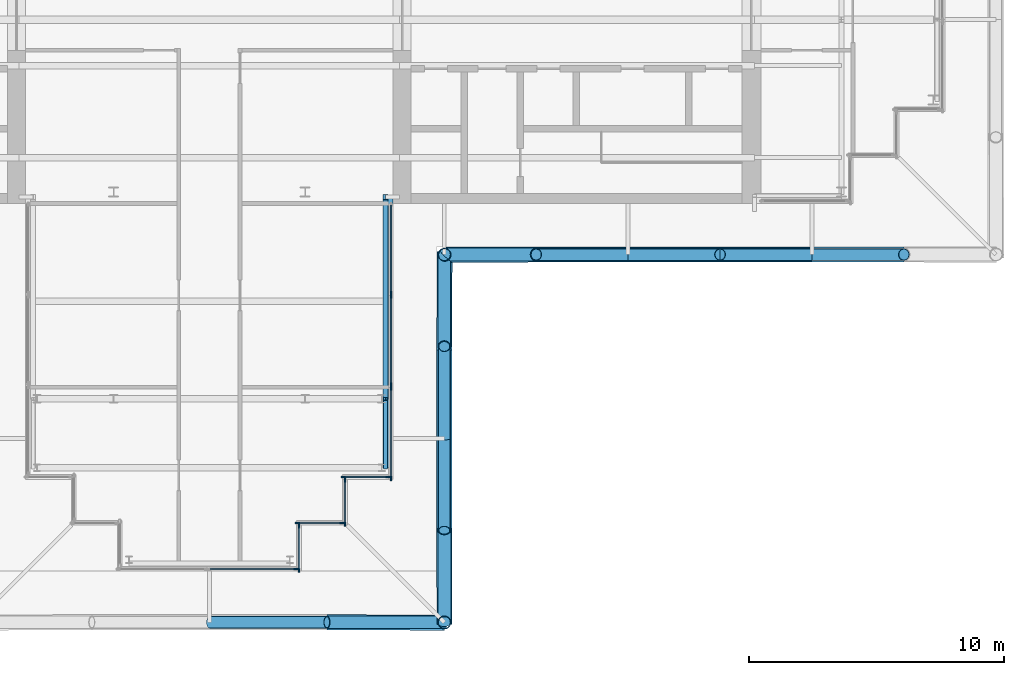
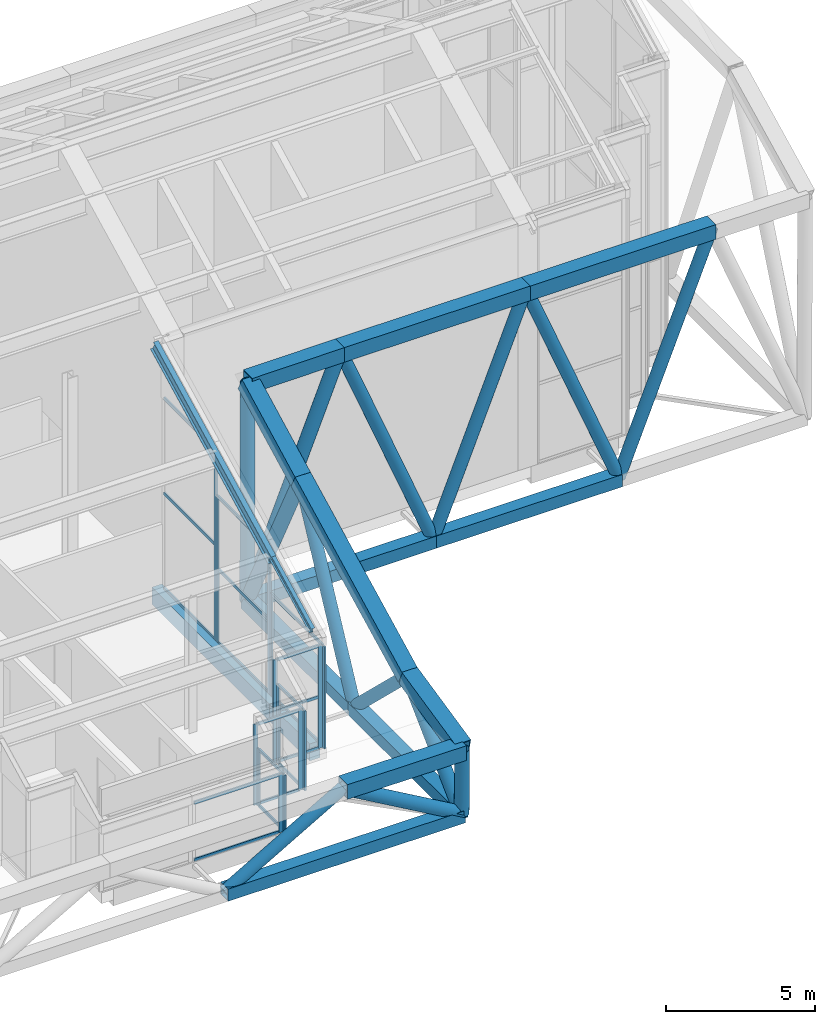
# One storey, part 9 of 25: 58 members, 4 beams, 8 elements without a shape of their own.
"""IFC4 building model written with IfcOpenShell, lengths in metres."""

from ifc_helpers import new_model, si_unit, direction, frame, origin, origin_2d, place, context, subcontext, project, spatial, rectangle, hollow_rectangle, hollow_circle, i_section, extrude, material, material_profile, profile_set, type_object, element, aggregate, save


model = new_model("IFC4")

# Units and contexts
model_context = context("Model", 3, precision=1e-05, world=origin(), true_north=direction((0.0, 1.0)))
body_context = subcontext(model_context, "Body", "Model", "MODEL_VIEW")
ifc_project = project(units=[si_unit("LENGTHUNIT", "METRE"), si_unit("AREAUNIT", "SQUARE_METRE"), si_unit("VOLUMEUNIT", "CUBIC_METRE"), si_unit("PLANEANGLEUNIT", "RADIAN"), si_unit("MASSUNIT", "GRAM", prefix="KILO")], contexts=[model_context])

# Site, building, storey
site_placement = place(None, origin())
site = spatial("IfcSite", under=ifc_project, at=site_placement, CompositionType="ELEMENT")
building_placement = place(site_placement, origin())
building = spatial("IfcBuilding", under=site, at=building_placement, Name="Fustian Cross Tower", CompositionType="ELEMENT")
storey_placement = place(building_placement, frame((0.0, 0.0, 247.5)))
storey = spatial("IfcBuildingStorey", under=building, at=storey_placement, Name="L77", CompositionType="ELEMENT", Elevation=247.5)

# Curtain wall, member
ifc_material_1 = material(Name="Glass", Category="glass")
curtain_wall_type = type_object("IfcCurtainWallType", Name="CW6 CURTAIN WALL", PredefinedType="NOTDEFINED", material=ifc_material_1)
curtain_wall_1_placement = place(storey_placement, origin())
curtain_wall_1 = element("IfcCurtainWall", 1, at=curtain_wall_1_placement, inside=storey, type_object=curtain_wall_type, Name="Curtain wall CW6", PredefinedType="NOTDEFINED")
ifc_material_2 = material(Name="Aluminium alloy 6063", Category="aluminium")
ifc_material_profile_1 = material_profile(ifc_material_2, rectangle(XDim=0.06005859375, YDim=0.159912109375, at=origin_2d()), Name="CW6 MULLION 60x160")
ifc_profile_set_1 = profile_set([ifc_material_profile_1], Name="Aluminium alloy 6063")
member_type_1 = type_object("IfcMemberType", Name="CW6 MULLION 60x160", PredefinedType="MULLION", material=ifc_profile_set_1)
member_1_placement = place(storey_placement, frame((3.389892578125, -21.510009765625, 0.0), z_axis=(0.0, 0.0, 1.0), x_axis=(0.0, 1.0, 0.0)))
member_1 = element("IfcMember", 2, at=member_1_placement, type_object=member_type_1, Name="CW6 mullion 2", PredefinedType="MULLION", context=body_context, shape_type="SweptSolid", body=[
    extrude(rectangle(XDim=0.06005859375, YDim=0.159912109375, at=origin_2d()), origin(), (0.0, 0.0, 1.0), 2.395751953125),
])

# Curtain wall, members
curtain_wall_2_placement = place(storey_placement, origin())
curtain_wall_2 = element("IfcCurtainWall", 3, at=curtain_wall_2_placement, inside=storey, type_object=curtain_wall_type, Name="Curtain wall CW6", PredefinedType="NOTDEFINED")
member_2_placement = place(storey_placement, frame((3.510009765625, -21.570068359375, 0.0), z_axis=(0.0, 0.0, 1.0), x_axis=(-1.0, 0.0, 0.0)))
member_2 = element("IfcMember", 4, at=member_2_placement, type_object=member_type_1, Name="CW6 mullion 1", PredefinedType="MULLION", context=body_context, shape_type="SweptSolid", body=[
    extrude(rectangle(XDim=0.06005859375, YDim=0.159912109375, at=origin_2d()), origin(), (0.0, 0.0, 1.0), 2.35009765625),
])
member_3_placement = place(storey_placement, frame((3.510009765625, -19.830078125, 0.0), z_axis=(0.0, 0.0, 1.0), x_axis=(-1.0, 0.0, 0.0)))
member_3 = element("IfcMember", 5, at=member_3_placement, type_object=member_type_1, Name="CW6 mullion 2", PredefinedType="MULLION", context=body_context, shape_type="SweptSolid", body=[
    extrude(rectangle(XDim=0.06005859375, YDim=0.159912109375, at=origin_2d()), origin(), (0.0, 0.0, 1.0), 2.35009765625),
])

curtain_wall_3_placement = place(storey_placement, origin())
curtain_wall_3 = element("IfcCurtainWall", 6, at=curtain_wall_3_placement, inside=storey, type_object=curtain_wall_type, Name="Curtain wall CW6", PredefinedType="NOTDEFINED")
member_4_placement = place(storey_placement, frame((3.449951171875, -19.7099609375, 0.0), z_axis=(0.0, 0.0, 1.0), x_axis=(0.0, 1.0, 0.0)))
member_4 = element("IfcMember", 7, at=member_4_placement, type_object=member_type_1, Name="CW6 mullion 1", PredefinedType="MULLION", context=body_context, shape_type="SweptSolid", body=[
    extrude(rectangle(XDim=0.06005859375, YDim=0.159912109375, at=origin_2d()), origin(), (0.0, 0.0, 1.0), 3.3125),
])
member_5_placement = place(storey_placement, frame((5.18994140625, -19.7099609375, 0.0), z_axis=(0.0, 0.0, 1.0), x_axis=(0.0, 1.0, 0.0)))
member_5 = element("IfcMember", 8, at=member_5_placement, type_object=member_type_1, Name="CW6 mullion 2", PredefinedType="MULLION", context=body_context, shape_type="SweptSolid", body=[
    extrude(rectangle(XDim=0.06005859375, YDim=0.159912109375, at=origin_2d()), origin(), (0.0, 0.0, 1.0), 3.3125),
])

curtain_wall_4_placement = place(storey_placement, origin())
curtain_wall_4 = element("IfcCurtainWall", 9, at=curtain_wall_4_placement, inside=storey, type_object=curtain_wall_type, Name="Curtain wall CW6", PredefinedType="NOTDEFINED")
member_6_placement = place(storey_placement, frame((5.31005859375, -19.77001953125, 0.0), z_axis=(0.0, 0.0, 1.0), x_axis=(-1.0, 0.0, 0.0)))
member_6 = element("IfcMember", 10, at=member_6_placement, type_object=member_type_1, Name="CW6 mullion 1", PredefinedType="MULLION", context=body_context, shape_type="SweptSolid", body=[
    extrude(rectangle(XDim=0.06005859375, YDim=0.159912109375, at=origin_2d()), origin(), (0.0, 0.0, 1.0), 3.2666015625),
])
member_7_placement = place(storey_placement, frame((5.31005859375, -18.030029296875, 0.0), z_axis=(0.0, 0.0, 1.0), x_axis=(-1.0, 0.0, 0.0)))
member_7 = element("IfcMember", 11, at=member_7_placement, type_object=member_type_1, Name="CW6 mullion 2", PredefinedType="MULLION", context=body_context, shape_type="SweptSolid", body=[
    extrude(rectangle(XDim=0.06005859375, YDim=0.159912109375, at=origin_2d()), origin(), (0.0, 0.0, 1.0), 3.2666015625),
])

curtain_wall_5_placement = place(storey_placement, origin())
curtain_wall_5 = element("IfcCurtainWall", 12, at=curtain_wall_5_placement, inside=storey, type_object=curtain_wall_type, Name="Curtain wall CW6", PredefinedType="NOTDEFINED")
member_8_placement = place(storey_placement, frame((5.25, -17.909912109375, 0.0), z_axis=(0.0, 0.0, 1.0), x_axis=(0.0, 1.0, 0.0)))
member_8 = element("IfcMember", 13, at=member_8_placement, type_object=member_type_1, Name="CW6 mullion 1", PredefinedType="MULLION", context=body_context, shape_type="SweptSolid", body=[
    extrude(rectangle(XDim=0.06005859375, YDim=0.159912109375, at=origin_2d()), origin(), (0.0, 0.0, 1.0), 4.229248046875),
])
member_9_placement = place(storey_placement, frame((6.989990234375, -17.909912109375, 0.0), z_axis=(0.0, 0.0, 1.0), x_axis=(0.0, 1.0, 0.0)))
member_9 = element("IfcMember", 14, at=member_9_placement, type_object=member_type_1, Name="CW6 mullion 2", PredefinedType="MULLION", context=body_context, shape_type="SweptSolid", body=[
    extrude(rectangle(XDim=0.06005859375, YDim=0.159912109375, at=origin_2d()), origin(), (0.0, 0.0, 1.0), 4.229248046875),
])

curtain_wall_6_placement = place(storey_placement, origin())
curtain_wall_6 = element("IfcCurtainWall", 15, at=curtain_wall_6_placement, inside=storey, type_object=curtain_wall_type, Name="Curtain wall CW6", PredefinedType="NOTDEFINED")
member_10_placement = place(storey_placement, frame((7.110107421875, -17.969970703125, 0.0), z_axis=(0.0, 0.0, 1.0), x_axis=(-1.0, 0.0, 0.0)))
member_10 = element("IfcMember", 16, at=member_10_placement, type_object=member_type_1, Name="CW6 mullion 1", PredefinedType="MULLION", context=body_context, shape_type="SweptSolid", body=[
    extrude(rectangle(XDim=0.06005859375, YDim=0.159912109375, at=origin_2d()), origin(), (0.0, 0.0, 1.0), 4.183349609375),
])
member_11_placement = place(storey_placement, frame((7.110107421875, -14.429931640625, 0.0), z_axis=(0.0, 0.0, 1.0), x_axis=(-1.0, 0.0, 0.0)))
member_11 = element("IfcMember", 17, at=member_11_placement, type_object=member_type_1, Name="CW6 mullion 2", PredefinedType="MULLION", context=body_context, shape_type="SweptSolid", body=[
    extrude(rectangle(XDim=0.06005859375, YDim=0.159912109375, at=origin_2d()), origin(), (0.0, 0.0, 1.0), 4.183349609375),
])

curtain_wall_7_placement = place(storey_placement, origin())
curtain_wall_7 = element("IfcCurtainWall", 18, at=curtain_wall_7_placement, inside=storey, type_object=curtain_wall_type, Name="Curtain wall CW6", PredefinedType="NOTDEFINED")
member_12_placement = place(storey_placement, frame((7.110107421875, -14.31005859375, 0.0), z_axis=(0.0, 0.0, 1.0), x_axis=(-1.0, 0.0, 0.0)))
member_12 = element("IfcMember", 19, at=member_12_placement, type_object=member_type_1, Name="CW6 mullion 1", PredefinedType="MULLION", context=body_context, shape_type="SweptSolid", body=[
    extrude(rectangle(XDim=0.06005859375, YDim=0.159912109375, at=origin_2d()), origin(), (0.0, 0.0, 1.0), 6.0166015625),
])
member_13_placement = place(storey_placement, frame((7.110107421875, -10.830078125, 0.0), z_axis=(0.0, 0.0, 1.0), x_axis=(-1.0, 0.0, 0.0)))
member_13 = element("IfcMember", 20, at=member_13_placement, type_object=member_type_1, Name="CW6 mullion 2", PredefinedType="MULLION", context=body_context, shape_type="SweptSolid", body=[
    extrude(rectangle(XDim=0.06005859375, YDim=0.159912109375, at=origin_2d()), origin(), (0.0, 0.0, 1.0), 6.0166015625),
])

# Curtain wall, member
curtain_wall_8_placement = place(storey_placement, origin())
curtain_wall_8 = element("IfcCurtainWall", 21, at=curtain_wall_8_placement, inside=storey, type_object=curtain_wall_type, Name="Curtain wall CW6", PredefinedType="NOTDEFINED")
member_14_placement = place(storey_placement, frame((7.110107421875, -10.7099609375, 0.0), z_axis=(0.0, 0.0, 1.0), x_axis=(-1.0, 0.0, 0.0)))
member_14 = element("IfcMember", 22, at=member_14_placement, type_object=member_type_1, Name="CW6 mullion 1", PredefinedType="MULLION", context=body_context, shape_type="SweptSolid", body=[
    extrude(rectangle(XDim=0.06005859375, YDim=0.159912109375, at=origin_2d()), origin(), (0.0, 0.0, 1.0), 7.85009765625),
])

# Member
ifc_material_3 = material(Name="Aluminium alloy 6063", Category="aluminium")
ifc_material_profile_2 = material_profile(ifc_material_3, rectangle(XDim=0.06005859375, YDim=0.1201171875, at=origin_2d()), Name="CW6 TRANSOM 60x120")
ifc_profile_set_2 = profile_set([ifc_material_profile_2], Name="Aluminium alloy 6063")
member_type_2 = type_object("IfcMemberType", Name="CW6 TRANSOM 60x120", PredefinedType="USERDEFINED", material=ifc_profile_set_2)
member_15_placement = place(storey_placement, frame((0.030029296875, -21.510009765625, 0.030029296875), z_axis=(1.0, 0.0, 0.0), x_axis=(0.0, 1.0, 0.0)))
member_15 = element("IfcMember", 23, at=member_15_placement, type_object=member_type_2, Name="CW6 transom 1.1", ObjectType="TRANSOM", PredefinedType="USERDEFINED", context=body_context, shape_type="SweptSolid", body=[
    extrude(rectangle(XDim=0.06005859375, YDim=0.1201171875, at=origin_2d()), origin(), (0.0, 0.0, 1.0), 3.330078125),
])

member_16_placement = place(storey_placement, frame((0.030029296875, -21.510009765625, 2.36572265625), z_axis=(1.0, 0.0, 0.0), x_axis=(0.0, 1.0, 0.0)))
member_16 = element("IfcMember", 24, at=member_16_placement, type_object=member_type_2, Name="CW6 transom 1.2", ObjectType="TRANSOM", PredefinedType="USERDEFINED", context=body_context, shape_type="SweptSolid", body=[
    extrude(rectangle(XDim=0.06005859375, YDim=0.1201171875, at=origin_2d()), origin(), (0.0, 0.0, 1.0), 3.330078125),
])

aggregate(curtain_wall_1, [member_1, member_15, member_16])

member_17_placement = place(storey_placement, frame((3.510009765625, -21.5400390625, 0.030029296875), z_axis=(0.0, 1.0, 0.0), x_axis=(-1.0, 0.0, 0.0)))
member_17 = element("IfcMember", 25, at=member_17_placement, type_object=member_type_2, Name="CW6 transom 1.1", ObjectType="TRANSOM", PredefinedType="USERDEFINED", context=body_context, shape_type="SweptSolid", body=[
    extrude(rectangle(XDim=0.06005859375, YDim=0.1201171875, at=origin_2d()), origin(), (0.0, 0.0, 1.0), 1.679931640625),
])

member_18_placement = place(storey_placement, frame((3.510009765625, -21.5400390625, 2.320068359375), z_axis=(0.0, 1.0, 0.0), x_axis=(-1.0, 0.0, 0.0)))
member_18 = element("IfcMember", 26, at=member_18_placement, type_object=member_type_2, Name="CW6 transom 1.2", ObjectType="TRANSOM", PredefinedType="USERDEFINED", context=body_context, shape_type="SweptSolid", body=[
    extrude(rectangle(XDim=0.06005859375, YDim=0.1201171875, at=origin_2d()), origin(), (0.0, 0.0, 1.0), 1.679931640625),
])

aggregate(curtain_wall_2, [member_2, member_3, member_17, member_18])

member_19_placement = place(storey_placement, frame((3.47998046875, -19.7099609375, 0.030029296875), z_axis=(1.0, 0.0, 0.0), x_axis=(0.0, 1.0, 0.0)))
member_19 = element("IfcMember", 27, at=member_19_placement, type_object=member_type_2, Name="CW6 transom 1.1", ObjectType="TRANSOM", PredefinedType="USERDEFINED", context=body_context, shape_type="SweptSolid", body=[
    extrude(rectangle(XDim=0.06005859375, YDim=0.1201171875, at=origin_2d()), origin(), (0.0, 0.0, 1.0), 1.679931640625),
])

member_20_placement = place(storey_placement, frame((3.47998046875, -19.7099609375, 3.282470703125), z_axis=(1.0, 0.0, 0.0), x_axis=(0.0, 1.0, 0.0)))
member_20 = element("IfcMember", 28, at=member_20_placement, type_object=member_type_2, Name="CW6 transom 1.2", ObjectType="TRANSOM", PredefinedType="USERDEFINED", context=body_context, shape_type="SweptSolid", body=[
    extrude(rectangle(XDim=0.06005859375, YDim=0.1201171875, at=origin_2d()), origin(), (0.0, 0.0, 1.0), 1.679931640625),
])

aggregate(curtain_wall_3, [member_4, member_5, member_19, member_20])

member_21_placement = place(storey_placement, frame((5.31005859375, -19.739990234375, 0.030029296875), z_axis=(0.0, 1.0, 0.0), x_axis=(-1.0, 0.0, 0.0)))
member_21 = element("IfcMember", 29, at=member_21_placement, type_object=member_type_2, Name="CW6 transom 1.1", ObjectType="TRANSOM", PredefinedType="USERDEFINED", context=body_context, shape_type="SweptSolid", body=[
    extrude(rectangle(XDim=0.06005859375, YDim=0.1201171875, at=origin_2d()), origin(), (0.0, 0.0, 1.0), 1.679931640625),
])

member_22_placement = place(storey_placement, frame((5.31005859375, -19.739990234375, 3.236572265625), z_axis=(0.0, 1.0, 0.0), x_axis=(-1.0, 0.0, 0.0)))
member_22 = element("IfcMember", 30, at=member_22_placement, type_object=member_type_2, Name="CW6 transom 1.2", ObjectType="TRANSOM", PredefinedType="USERDEFINED", context=body_context, shape_type="SweptSolid", body=[
    extrude(rectangle(XDim=0.06005859375, YDim=0.1201171875, at=origin_2d()), origin(), (0.0, 0.0, 1.0), 1.679931640625),
])

aggregate(curtain_wall_4, [member_6, member_7, member_21, member_22])

member_23_placement = place(storey_placement, frame((5.280029296875, -17.909912109375, 0.030029296875), z_axis=(1.0, 0.0, 0.0), x_axis=(0.0, 1.0, 0.0)))
member_23 = element("IfcMember", 31, at=member_23_placement, type_object=member_type_2, Name="CW6 transom 1.1", ObjectType="TRANSOM", PredefinedType="USERDEFINED", context=body_context, shape_type="SweptSolid", body=[
    extrude(rectangle(XDim=0.06005859375, YDim=0.1201171875, at=origin_2d()), origin(), (0.0, 0.0, 1.0), 1.679931640625),
])

member_24_placement = place(storey_placement, frame((5.280029296875, -17.909912109375, 2.114501953125), z_axis=(1.0, 0.0, 0.0), x_axis=(0.0, 1.0, 0.0)))
member_24 = element("IfcMember", 32, at=member_24_placement, type_object=member_type_2, Name="CW6 transom 1.2", ObjectType="TRANSOM", PredefinedType="USERDEFINED", context=body_context, shape_type="SweptSolid", body=[
    extrude(rectangle(XDim=0.06005859375, YDim=0.1201171875, at=origin_2d()), origin(), (0.0, 0.0, 1.0), 1.679931640625),
])

member_25_placement = place(storey_placement, frame((5.280029296875, -17.909912109375, 4.19921875), z_axis=(1.0, 0.0, 0.0), x_axis=(0.0, 1.0, 0.0)))
member_25 = element("IfcMember", 33, at=member_25_placement, type_object=member_type_2, Name="CW6 transom 1.3", ObjectType="TRANSOM", PredefinedType="USERDEFINED", context=body_context, shape_type="SweptSolid", body=[
    extrude(rectangle(XDim=0.06005859375, YDim=0.1201171875, at=origin_2d()), origin(), (0.0, 0.0, 1.0), 1.679931640625),
])

aggregate(curtain_wall_5, [member_8, member_9, member_23, member_24, member_25])

member_26_placement = place(storey_placement, frame((7.110107421875, -17.93994140625, 0.030029296875), z_axis=(0.0, 1.0, 0.0), x_axis=(-1.0, 0.0, 0.0)))
member_26 = element("IfcMember", 34, at=member_26_placement, type_object=member_type_2, Name="CW6 transom 1.1", ObjectType="TRANSOM", PredefinedType="USERDEFINED", context=body_context, shape_type="SweptSolid", body=[
    extrude(rectangle(XDim=0.06005859375, YDim=0.1201171875, at=origin_2d()), origin(), (0.0, 0.0, 1.0), 3.47998046875),
])

member_27_placement = place(storey_placement, frame((7.110107421875, -17.93994140625, 4.1533203125), z_axis=(0.0, 1.0, 0.0), x_axis=(-1.0, 0.0, 0.0)))
member_27 = element("IfcMember", 35, at=member_27_placement, type_object=member_type_2, Name="CW6 transom 1.2", ObjectType="TRANSOM", PredefinedType="USERDEFINED", context=body_context, shape_type="SweptSolid", body=[
    extrude(rectangle(XDim=0.06005859375, YDim=0.1201171875, at=origin_2d()), origin(), (0.0, 0.0, 1.0), 3.47998046875),
])

aggregate(curtain_wall_6, [member_10, member_11, member_26, member_27])

member_28_placement = place(storey_placement, frame((7.110107421875, -14.280029296875, 0.030029296875), z_axis=(0.0, 1.0, 0.0), x_axis=(-1.0, 0.0, 0.0)))
member_28 = element("IfcMember", 36, at=member_28_placement, type_object=member_type_2, Name="CW6 transom 1.1", ObjectType="TRANSOM", PredefinedType="USERDEFINED", context=body_context, shape_type="SweptSolid", body=[
    extrude(rectangle(XDim=0.06005859375, YDim=0.1201171875, at=origin_2d()), origin(), (0.0, 0.0, 1.0), 3.419921875),
])

member_29_placement = place(storey_placement, frame((7.110107421875, -14.280029296875, 3.00830078125), z_axis=(0.0, 1.0, 0.0), x_axis=(-1.0, 0.0, 0.0)))
member_29 = element("IfcMember", 37, at=member_29_placement, type_object=member_type_2, Name="CW6 transom 1.2", ObjectType="TRANSOM", PredefinedType="USERDEFINED", context=body_context, shape_type="SweptSolid", body=[
    extrude(rectangle(XDim=0.06005859375, YDim=0.1201171875, at=origin_2d()), origin(), (0.0, 0.0, 1.0), 3.419921875),
])

member_30_placement = place(storey_placement, frame((7.110107421875, -14.280029296875, 5.986572265625), z_axis=(0.0, 1.0, 0.0), x_axis=(-1.0, 0.0, 0.0)))
member_30 = element("IfcMember", 38, at=member_30_placement, type_object=member_type_2, Name="CW6 transom 1.3", ObjectType="TRANSOM", PredefinedType="USERDEFINED", context=body_context, shape_type="SweptSolid", body=[
    extrude(rectangle(XDim=0.06005859375, YDim=0.1201171875, at=origin_2d()), origin(), (0.0, 0.0, 1.0), 3.419921875),
])

aggregate(curtain_wall_7, [member_12, member_13, member_28, member_29, member_30])

member_31_placement = place(storey_placement, frame((7.110107421875, -10.679931640625, 0.030029296875), z_axis=(0.0, 1.0, 0.0), x_axis=(-1.0, 0.0, 0.0)))
member_31 = element("IfcMember", 39, at=member_31_placement, type_object=member_type_2, Name="CW6 transom 1.1", ObjectType="TRANSOM", PredefinedType="USERDEFINED", context=body_context, shape_type="SweptSolid", body=[
    extrude(rectangle(XDim=0.06005859375, YDim=0.1201171875, at=origin_2d()), origin(), (0.0, 0.0, 1.0), 3.419921875),
])

member_32_placement = place(storey_placement, frame((7.110107421875, -10.679931640625, 3.925048828125), z_axis=(0.0, 1.0, 0.0), x_axis=(-1.0, 0.0, 0.0)))
member_32 = element("IfcMember", 40, at=member_32_placement, type_object=member_type_2, Name="CW6 transom 1.2", ObjectType="TRANSOM", PredefinedType="USERDEFINED", context=body_context, shape_type="SweptSolid", body=[
    extrude(rectangle(XDim=0.06005859375, YDim=0.1201171875, at=origin_2d()), origin(), (0.0, 0.0, 1.0), 3.419921875),
])

member_33_placement = place(storey_placement, frame((7.110107421875, -10.679931640625, 7.820068359375), z_axis=(0.0, 1.0, 0.0), x_axis=(-1.0, 0.0, 0.0)))
member_33 = element("IfcMember", 41, at=member_33_placement, type_object=member_type_2, Name="CW6 transom 1.3", ObjectType="TRANSOM", PredefinedType="USERDEFINED", context=body_context, shape_type="SweptSolid", body=[
    extrude(rectangle(XDim=0.06005859375, YDim=0.1201171875, at=origin_2d()), origin(), (0.0, 0.0, 1.0), 3.419921875),
])

aggregate(curtain_wall_8, [member_14, member_31, member_32, member_33])

# Members
ifc_material_4 = material(Name="Steel S355", Category="steel")
ifc_material_profile_3 = material_profile(ifc_material_4, hollow_circle(Radius=0.228515625, WallThickness=0.01611328125, at=origin_2d()), Name="CHS 457x16")
ifc_profile_set_3 = profile_set([ifc_material_profile_3], Name="Steel S355")
member_type_3 = type_object("IfcMemberType", Name="DIAGRID DIAGONAL CHS 457x16", PredefinedType="BRACE", material=ifc_profile_set_3)
for number, where, z_axis, x_axis, name in (
    (42, (16.39990234375, -9.199951171875, 0.0), (-0.372632146332, 0.0, 0.927979139593), (0.0, -1.0, 0.0), "Diagrid diagonal E-S 03"),
    (43, (16.39990234375, -9.199951171875, 0.0), (0.372653908684, 0.0, 0.927970400575), (0.0, 1.0, 0.0), "Diagrid diagonal E-S 04"),
    (44, (23.60009765625, -9.199951171875, 0.0), (-0.372653908684, 0.0, 0.927970400575), (0.0, -1.0, 0.0), "Diagrid diagonal E-S 05"),
    (45, (23.60009765625, -9.199951171875, 0.0), (0.372632146332, 0.0, 0.927979139593), (0.0, 1.0, 0.0), "Diagrid diagonal E-S 06"),
):
    element("IfcMember", number, at=place(storey_placement, frame(where, z_axis=z_axis, x_axis=x_axis)), inside=storey, type_object=member_type_3, Name=name, PredefinedType="BRACE", context=body_context, shape_type="SweptSolid", body=[
        extrude(hollow_circle(Radius=0.228515625, WallThickness=0.01611328125, at=origin_2d()), origin(), (0.0, 0.0, 1.0), 9.66064453125),
    ])
member_34_placement = place(storey_placement, frame((0.0, -23.60009765625, 0.0), z_axis=(0.866511556099, 0.0, 0.49915701252), x_axis=(0.0, 1.0, 0.0)))
element("IfcMember", 46, at=member_34_placement, inside=storey, type_object=member_type_3, Name="Diagrid diagonal S-end 03", PredefinedType="BRACE", context=body_context, shape_type="SweptSolid", body=[
    extrude(hollow_circle(Radius=0.228515625, WallThickness=0.01611328125, at=origin_2d()), origin(), (0.0, 0.0, 1.0), 5.308837890625),
])
member_35_placement = place(storey_placement, frame((9.199951171875, -16.39990234375, 0.0), z_axis=(0.0, -0.720511876136, 0.69344259773), x_axis=(1.0, 0.0, 0.0)))
element("IfcMember", 47, at=member_35_placement, inside=storey, type_object=member_type_3, Name="Diagrid diagonal S-E 02", PredefinedType="BRACE", context=body_context, shape_type="SweptSolid", body=[
    extrude(hollow_circle(Radius=0.228515625, WallThickness=0.01611328125, at=origin_2d()), origin(), (0.0, 0.0, 1.0), 4.99658203125),
])
member_36_placement = place(storey_placement, frame((9.199951171875, -16.39990234375, 0.0), z_axis=(0.0, 0.450620944217, 0.89271538837), x_axis=(-1.0, 0.0, 0.0)))
element("IfcMember", 48, at=member_36_placement, inside=storey, type_object=member_type_3, Name="Diagrid diagonal S-E 03", PredefinedType="BRACE", context=body_context, shape_type="SweptSolid", body=[
    extrude(hollow_circle(Radius=0.228515625, WallThickness=0.01611328125, at=origin_2d()), origin(), (0.0, 0.0, 1.0), 7.98876953125),
])
ifc_material_5 = material(Name="Steel S355", Category="steel")
ifc_material_profile_4 = material_profile(ifc_material_5, hollow_circle(Radius=0.25390625, WallThickness=0.02001953125, at=origin_2d()), Name="CHS 508x20")
ifc_profile_set_4 = profile_set([ifc_material_profile_4], Name="Steel S355")
member_type_4 = type_object("IfcMemberType", Name="DIAGRID DIAGONAL CHS 508x20", PredefinedType="BRACE", material=ifc_profile_set_4)
member_37_placement = place(storey_placement, frame((9.199951171875, -9.199951171875, 0.0), z_axis=(0.00158080826, -0.00158080826, 0.999997501042), x_axis=(0.707106781187, 0.707106781187, 0.0)))
element("IfcMember", 49, at=member_37_placement, inside=storey, type_object=member_type_4, Name="Diagrid diagonal E-S 01", PredefinedType="BRACE", context=body_context, shape_type="SweptSolid", body=[
    extrude(hollow_circle(Radius=0.25390625, WallThickness=0.02001953125, at=origin_2d()), origin(), (0.0, 0.0, 1.0), 8.95751953125),
])
member_38_placement = place(storey_placement, frame((9.199951171875, -9.199951171875, 0.0), z_axis=(0.372653908684, 0.0, 0.927970400575), x_axis=(0.0, 1.0, 0.0)))
element("IfcMember", 50, at=member_38_placement, inside=storey, type_object=member_type_4, Name="Diagrid diagonal E-S 02", PredefinedType="BRACE", context=body_context, shape_type="SweptSolid", body=[
    extrude(hollow_circle(Radius=0.25390625, WallThickness=0.02001953125, at=origin_2d()), origin(), (0.0, 0.0, 1.0), 9.66064453125),
])
member_39_placement = place(storey_placement, frame((9.199951171875, -23.60009765625, 0.0), z_axis=(-0.866500097073, 0.0, 0.499176904285), x_axis=(0.0, -1.0, 0.0)))
element("IfcMember", 51, at=member_39_placement, inside=storey, type_object=member_type_4, Name="Diagrid diagonal S-end 04", PredefinedType="BRACE", context=body_context, shape_type="SweptSolid", body=[
    extrude(hollow_circle(Radius=0.25390625, WallThickness=0.02001953125, at=origin_2d()), origin(), (0.0, 0.0, 1.0), 5.30859375),
])
member_40_placement = place(storey_placement, frame((9.199951171875, -23.60009765625, 0.0), z_axis=(0.002763879677, -0.007001828516, 0.999971667282), x_axis=(0.930155221331, 0.367166534736, 0.0)))
element("IfcMember", 52, at=member_40_placement, inside=storey, type_object=member_type_4, Name="Diagrid diagonal S-end 05", PredefinedType="BRACE", context=body_context, shape_type="SweptSolid", body=[
    extrude(hollow_circle(Radius=0.25390625, WallThickness=0.02001953125, at=origin_2d()), origin(), (0.0, 0.0, 1.0), 2.64990234375),
])
member_41_placement = place(storey_placement, frame((9.199951171875, -23.60009765625, 0.0), z_axis=(0.0, 0.720511876136, 0.69344259773), x_axis=(-1.0, 0.0, 0.0)))
element("IfcMember", 53, at=member_41_placement, inside=storey, type_object=member_type_4, Name="Diagrid diagonal S-E 01", PredefinedType="BRACE", context=body_context, shape_type="SweptSolid", body=[
    extrude(hollow_circle(Radius=0.25390625, WallThickness=0.02001953125, at=origin_2d()), origin(), (0.0, 0.0, 1.0), 4.99658203125),
])
member_42_placement = place(storey_placement, frame((9.199951171875, -9.199951171875, 0.0), z_axis=(0.0, -0.450645298966, 0.89270309427), x_axis=(1.0, 0.0, 0.0)))
element("IfcMember", 54, at=member_42_placement, inside=storey, type_object=member_type_4, Name="Diagrid diagonal S-E 04", PredefinedType="BRACE", context=body_context, shape_type="SweptSolid", body=[
    extrude(hollow_circle(Radius=0.25390625, WallThickness=0.02001953125, at=origin_2d()), origin(), (0.0, 0.0, 1.0), 7.98876953125),
])
ifc_material_6 = material(Name="Steel S355", Category="steel")
ifc_material_profile_5 = material_profile(ifc_material_6, hollow_rectangle(XDim=0.5, YDim=0.5, WallThickness=0.02490234375, at=origin_2d()), Name="RHS 500x500x25")
ifc_profile_set_5 = profile_set([ifc_material_profile_5], Name="Steel S355")
member_type_5 = type_object("IfcMemberType", Name="DIAGRID RING RHS 500x500x25", PredefinedType="MEMBER", material=ifc_profile_set_5)
member_43_placement = place(storey_placement, frame((0.0, -23.60009765625, 0.0), z_axis=(1.0, 0.0, 0.0), x_axis=(0.0, 1.0, 0.0)))
element("IfcMember", 55, at=member_43_placement, inside=storey, type_object=member_type_5, Name="Diagrid ring L77-23 L77-24", PredefinedType="MEMBER", context=body_context, shape_type="SweptSolid", body=[
    extrude(hollow_rectangle(XDim=0.5, YDim=0.5, WallThickness=0.02490234375, at=origin_2d()), origin(), (0.0, 0.0, 1.0), 9.199951171875),
])
member_44_placement = place(storey_placement, frame((9.199951171875, -23.60009765625, 0.0), z_axis=(0.0, 1.0, 0.0), x_axis=(-1.0, 0.0, 0.0)))
element("IfcMember", 56, at=member_44_placement, inside=storey, type_object=member_type_5, Name="Diagrid ring L77-24 L77-25", PredefinedType="MEMBER", context=body_context, shape_type="SweptSolid", body=[
    extrude(hollow_rectangle(XDim=0.5, YDim=0.5, WallThickness=0.02490234375, at=origin_2d()), origin(), (0.0, 0.0, 1.0), 7.2001953125),
])
for number, where, z_axis, x_axis, name in (
    (57, (9.199951171875, -16.39990234375, 0.0), (0.0, 1.0, 0.0), (-1.0, 0.0, 0.0), "Diagrid ring L77-25 L77-26"),
    (58, (9.199951171875, -9.199951171875, 0.0), (1.0, 0.0, 0.0), (0.0, 1.0, 0.0), "Diagrid ring L77-26 L77-27"),
):
    element("IfcMember", number, at=place(storey_placement, frame(where, z_axis=z_axis, x_axis=x_axis)), inside=storey, type_object=member_type_5, Name=name, PredefinedType="MEMBER", context=body_context, shape_type="SweptSolid", body=[
        extrude(hollow_rectangle(XDim=0.5, YDim=0.5, WallThickness=0.02490234375, at=origin_2d()), origin(), (0.0, 0.0, 1.0), 7.199951171875),
    ])
member_45_placement = place(storey_placement, frame((16.39990234375, -9.199951171875, 0.0), z_axis=(1.0, 0.0, 0.0), x_axis=(0.0, 1.0, 0.0)))
element("IfcMember", 59, at=member_45_placement, inside=storey, type_object=member_type_5, Name="Diagrid ring L77-27 L77-28", PredefinedType="MEMBER", context=body_context, shape_type="SweptSolid", body=[
    extrude(hollow_rectangle(XDim=0.5, YDim=0.5, WallThickness=0.02490234375, at=origin_2d()), origin(), (0.0, 0.0, 1.0), 7.2001953125),
])
ifc_material_7 = material(Name="Steel S355", Category="steel")
ifc_material_profile_6 = material_profile(ifc_material_7, hollow_rectangle(XDim=0.60009765625, YDim=0.60009765625, WallThickness=0.030029296875, at=origin_2d()), Name="RHS 600x600x30")
ifc_profile_set_6 = profile_set([ifc_material_profile_6], Name="Steel S355")
member_type_6 = type_object("IfcMemberType", Name="DIAGRID RING RHS 600x600x30", PredefinedType="MEMBER", material=ifc_profile_set_6)
member_46_placement = place(storey_placement, frame((9.214111328125, -9.214111328125, 8.95751953125), z_axis=(0.999990117759, 0.00394876272, 0.002042463476), x_axis=(-0.003948770956, 0.999992203574, 0.0)))
element("IfcMember", 60, at=member_46_placement, inside=storey, type_object=member_type_6, Name="Diagrid ring TOP-36 TOP-37", PredefinedType="MEMBER", context=body_context, shape_type="SweptSolid", body=[
    extrude(hollow_rectangle(XDim=0.60009765625, YDim=0.60009765625, WallThickness=0.030029296875, at=origin_2d()), origin(), (0.0, 0.0, 1.0), 3.5859375),
])
for number, where, z_axis, x_axis, name in (
    (61, (12.800048828125, -9.199951171875, 8.96484375), (1.0, 0.0, 0.0), (0.0, 1.0, 0.0), "Diagrid ring TOP-37 TOP-38"),
    (62, (20.0, -9.199951171875, 8.96484375), (1.0, 0.0, 0.0), (0.0, 1.0, 0.0), "Diagrid ring TOP-38 TOP-39"),
):
    element("IfcMember", number, at=place(storey_placement, frame(where, z_axis=z_axis, x_axis=x_axis)), inside=storey, type_object=member_type_6, Name=name, PredefinedType="MEMBER", context=body_context, shape_type="SweptSolid", body=[
        extrude(hollow_rectangle(XDim=0.60009765625, YDim=0.60009765625, WallThickness=0.030029296875, at=origin_2d()), origin(), (0.0, 0.0, 1.0), 7.199951171875),
    ])
member_47_placement = place(storey_placement, frame((4.60009765625, -23.60009765625, 2.64990234375), z_axis=(0.999991890351, -0.004027310883, 0.0), x_axis=(0.004027310883, 0.999991890351, 0.0)))
element("IfcMember", 63, at=member_47_placement, inside=storey, type_object=member_type_6, Name="Diagrid ring TOP-32 TOP-33", PredefinedType="MEMBER", context=body_context, shape_type="SweptSolid", body=[
    extrude(hollow_rectangle(XDim=0.60009765625, YDim=0.60009765625, WallThickness=0.030029296875, at=origin_2d()), origin(), (0.0, 0.0, 1.0), 4.607177734375),
])
member_48_placement = place(storey_placement, frame((9.207275390625, -23.61865234375, 2.64990234375), z_axis=(-0.001974561147, 0.975564843852, 0.219702836917), x_axis=(-0.999997951681, -0.002024014205, 0.0)))
element("IfcMember", 64, at=member_48_placement, inside=storey, type_object=member_type_6, Name="Diagrid ring TOP-33 TOP-34", PredefinedType="MEMBER", context=body_context, shape_type="SweptSolid", body=[
    extrude(hollow_rectangle(XDim=0.60009765625, YDim=0.60009765625, WallThickness=0.030029296875, at=origin_2d()), origin(), (0.0, 0.0, 1.0), 3.709228515625),
])
member_49_placement = place(storey_placement, frame((9.199951171875, -20.0, 3.46484375), z_axis=(0.0, 0.891097137309, 0.453812617586), x_axis=(-1.0, 0.0, 0.0)))
element("IfcMember", 65, at=member_49_placement, inside=storey, type_object=member_type_6, Name="Diagrid ring TOP-34 TOP-35", PredefinedType="MEMBER", context=body_context, shape_type="SweptSolid", body=[
    extrude(hollow_rectangle(XDim=0.60009765625, YDim=0.60009765625, WallThickness=0.030029296875, at=origin_2d()), origin(), (0.0, 0.0, 1.0), 8.079833984375),
])
member_50_placement = place(storey_placement, frame((9.199951171875, -12.800048828125, 7.131591796875), z_axis=(0.003518862016, 0.891121470522, 0.453751189953), x_axis=(-0.999992203574, 0.003948770956, 0.0)))
element("IfcMember", 66, at=member_50_placement, inside=storey, type_object=member_type_6, Name="Diagrid ring TOP-35 TOP-36", PredefinedType="MEMBER", context=body_context, shape_type="SweptSolid", body=[
    extrude(hollow_rectangle(XDim=0.60009765625, YDim=0.60009765625, WallThickness=0.030029296875, at=origin_2d()), origin(), (0.0, 0.0, 1.0), 4.024169921875),
])

# Beams
ifc_material_8 = material(Name="Concrete C50/60", Category="concrete")
ifc_material_profile_7 = material_profile(ifc_material_8, rectangle(XDim=0.39990234375, YDim=0.699951171875, at=origin_2d()), Name="RC 400x700")
ifc_profile_set_7 = profile_set([ifc_material_profile_7], Name="Concrete C50/60")
beam_type_1 = type_object("IfcBeamType", Name="EDGE BEAM RC 400x700 C50/60", PredefinedType="SPANDREL", material=ifc_profile_set_7)
beam_1_placement = place(storey_placement, frame((7.0, -17.550048828125, -0.35009765625), z_axis=(0.0, 1.0, 0.0), x_axis=(-1.0, 0.0, 0.0)))
element("IfcBeam", 67, at=beam_1_placement, inside=storey, type_object=beam_type_1, Name="EDGE BEAM L77-15", PredefinedType="SPANDREL", context=body_context, shape_type="SweptSolid", body=[
    extrude(rectangle(XDim=0.39990234375, YDim=0.699951171875, at=origin_2d()), origin(), (0.0, 0.0, 1.0), 2.699951171875),
])
beam_2_placement = place(storey_placement, frame((7.0, -14.85009765625, -0.35009765625), z_axis=(0.0, 1.0, 0.0), x_axis=(-1.0, 0.0, 0.0)))
element("IfcBeam", 68, at=beam_2_placement, inside=storey, type_object=beam_type_1, Name="EDGE BEAM L77-16", PredefinedType="SPANDREL", context=body_context, shape_type="SweptSolid", body=[
    extrude(rectangle(XDim=0.39990234375, YDim=0.699951171875, at=origin_2d()), origin(), (0.0, 0.0, 1.0), 7.900146484375),
])
ifc_material_9 = material(Name="Steel S355", Category="steel")
ifc_material_profile_8 = material_profile(ifc_material_9, i_section(OverallWidth=0.19287109375, OverallDepth=0.46728515625, WebThickness=0.011474609375, FlangeThickness=0.01953125, FilletRadius=0.01025390625, at=origin_2d()), Name="UB 457x191x98")
ifc_profile_set_8 = profile_set([ifc_material_profile_8], Name="Steel S355")
beam_type_2 = type_object("IfcBeamType", Name="ROOF RAFTER UB 457x191x98 S355", PredefinedType="BEAM", material=ifc_profile_set_8)
beam_3_placement = place(storey_placement, frame((6.89990234375, -14.85009765625, 5.87548828125), z_axis=(0.0, 0.891114931037, 0.453777676493), x_axis=(-1.0, 0.0, 0.0)))
element("IfcBeam", 69, at=beam_3_placement, inside=storey, type_object=beam_type_2, Name="ROOF BEAM 025", PredefinedType="BEAM", context=body_context, shape_type="SweptSolid", body=[
    extrude(i_section(OverallWidth=0.19287109375, OverallDepth=0.46728515625, WebThickness=0.011474609375, FlangeThickness=0.01953125, FilletRadius=0.01025390625, at=origin_2d()), origin(), (0.0, 0.0, 1.0), 8.865478515625),
])
ifc_material_10 = material(Name="Steel S355", Category="steel")
ifc_material_profile_9 = material_profile(ifc_material_10, i_section(OverallWidth=0.14599609375, OverallDepth=0.25146484375, WebThickness=0.006103515625, FlangeThickness=0.008544921875, FilletRadius=0.007568359375, at=origin_2d()), Name="UB 254x146x31")
ifc_profile_set_9 = profile_set([ifc_material_profile_9], Name="Steel S355")
beam_type_3 = type_object("IfcBeamType", Name="ROOF TRIMMER UB 254x146x31 S355", PredefinedType="BEAM", material=ifc_profile_set_9)
beam_4_placement = place(storey_placement, frame((6.89990234375, -17.550048828125, 4.621337890625), z_axis=(0.0, 0.891099136061, 0.453808692856), x_axis=(-1.0, 0.0, 0.0)))
element("IfcBeam", 70, at=beam_4_placement, inside=storey, type_object=beam_type_3, Name="ROOF BEAM 024", PredefinedType="BEAM", context=body_context, shape_type="SweptSolid", body=[
    extrude(i_section(OverallWidth=0.14599609375, OverallDepth=0.25146484375, WebThickness=0.006103515625, FlangeThickness=0.008544921875, FilletRadius=0.007568359375, at=origin_2d()), origin(), (0.0, 0.0, 1.0), 3.030029296875),
])

save(model, "model.ifc")
